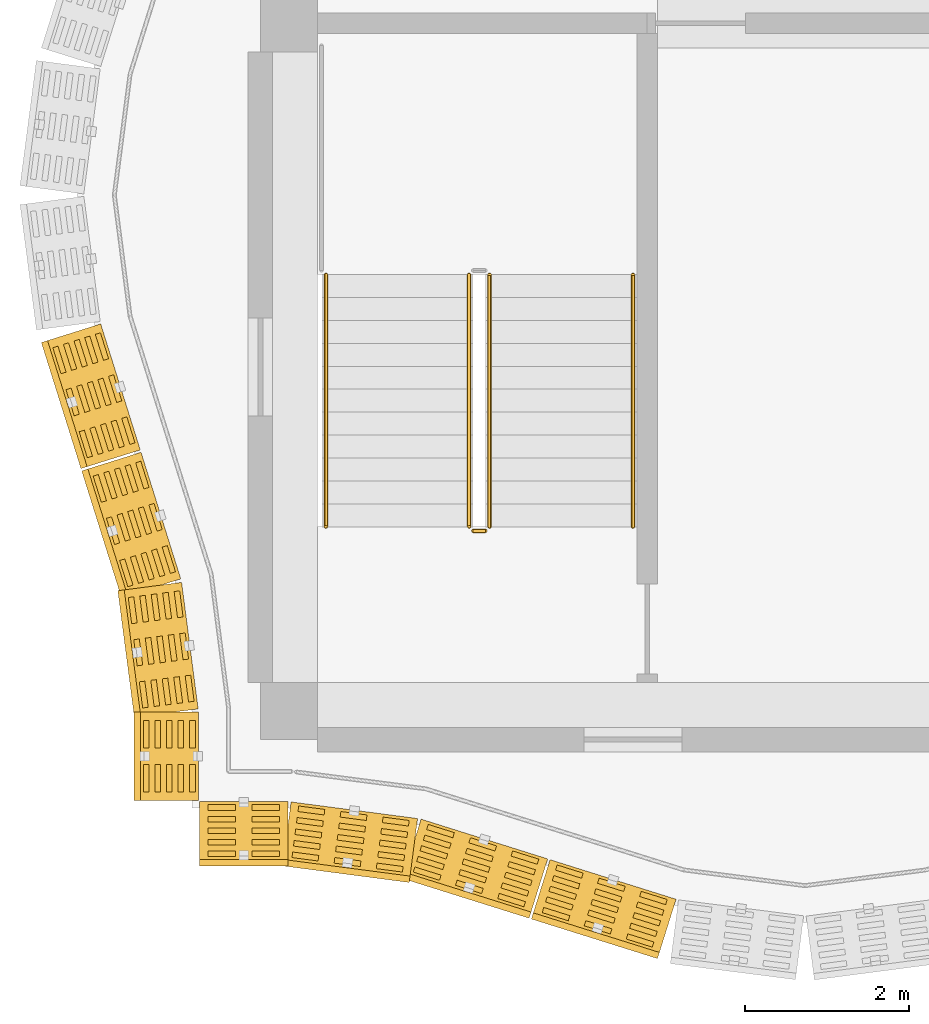
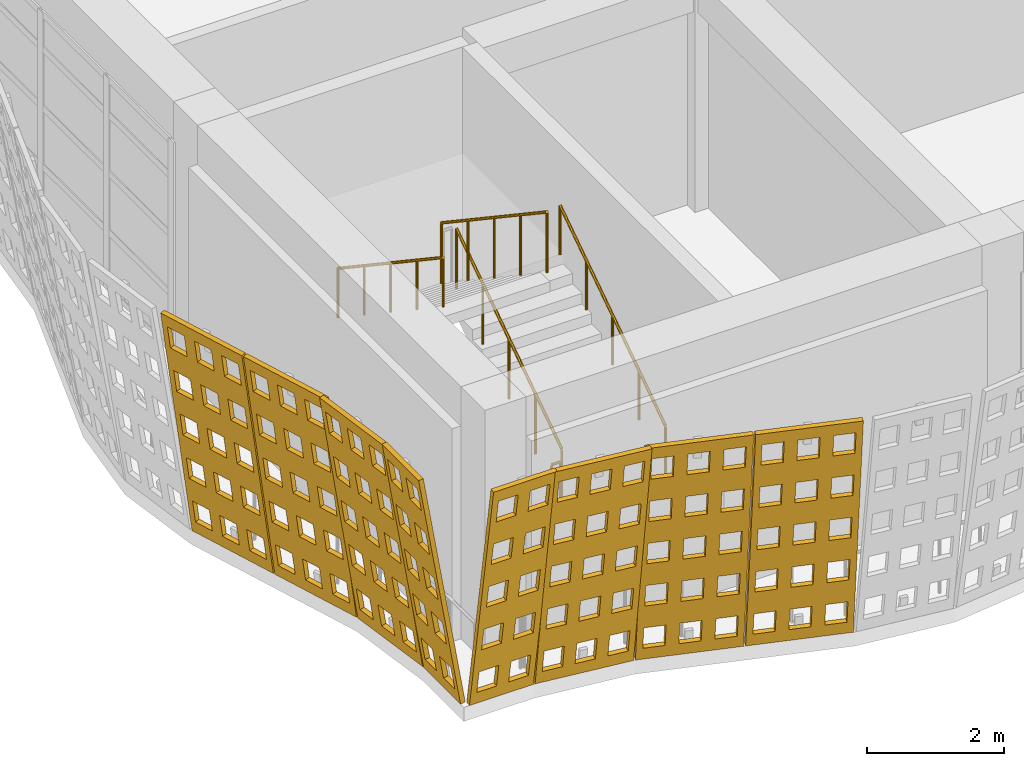
# One storey, part 148 of 163: 8 coverings, 5 railings.
"""IFC4 building model written with IfcOpenShell, lengths in metres."""

from ifc_helpers import new_model, si_unit, direction, frame, origin, origin_2d, place, context, subcontext, project, spatial, polyline, circle, outline, extrude, material, layer, layer_set, type_object, element, save


model = new_model("IFC4")

# Units and contexts
model_context = context("Model", 3, precision=1e-05, world=origin(), true_north=direction((0.0, 1.0)))
body_context = subcontext(model_context, "Body", "Model", "MODEL_VIEW")
ifc_project = project(units=[si_unit("LENGTHUNIT", "METRE"), si_unit("AREAUNIT", "SQUARE_METRE"), si_unit("VOLUMEUNIT", "CUBIC_METRE"), si_unit("PLANEANGLEUNIT", "RADIAN"), si_unit("MASSUNIT", "GRAM", prefix="KILO")], contexts=[model_context])

# Site, building, storey
site_placement = place(None, origin())
site = spatial("IfcSite", under=ifc_project, at=site_placement, CompositionType="ELEMENT")
building_placement = place(site_placement, origin())
building = spatial("IfcBuilding", under=site, at=building_placement, Name="Rain Tree Exposition and Congress Centre", CompositionType="ELEMENT")
storey_placement = place(building_placement, frame((0.0, 0.0, 10.5)))
storey = spatial("IfcBuildingStorey", under=building, at=storey_placement, Name="L02", CompositionType="ELEMENT", Elevation=10.5)

# Coverings
ifc_material_1 = material(Name="Perforated terracotta", Category="masonry")
ifc_layer = layer(ifc_material_1, 0.080078125)
ifc_layer_set = layer_set([ifc_layer], Name="Perforated terracotta")
covering_type = type_object("IfcCoveringType", Name="Terracotta screen 80", PredefinedType="CLADDING", material=ifc_layer_set)
covering_1_placement = place(storey_placement, frame((0.0, -1.1875, 0.0), z_axis=(0.128349774249, 0.9779030419, 0.165021138321), x_axis=(-0.991496427865, 0.130133906157, 0.0)))
element("IfcCovering", 1, at=covering_1_placement, inside=storey, type_object=covering_type, Name="wing/screen/L02/001", PredefinedType="CLADDING", context=body_context, shape_type="SweptSolid", body=[
    extrude(outline(polyline([(-1.5732421875, 0.0), (-1.5732421875, 4.295166015625), (-0.014892578125, 4.295166015625), (-0.014892578125, 0.0), (-1.5732421875, 0.0)]), holes=[polyline([(-0.11376953125, 0.2216796875), (-0.11376953125, 0.63720703125), (-0.435791015625, 0.63720703125), (-0.435791015625, 0.2216796875), (-0.11376953125, 0.2216796875)]), polyline([(-0.11376953125, 1.080810546875), (-0.11376953125, 1.496337890625), (-0.435791015625, 1.496337890625), (-0.435791015625, 1.080810546875), (-0.11376953125, 1.080810546875)]), polyline([(-0.11376953125, 1.939697265625), (-0.11376953125, 2.35546875), (-0.435791015625, 2.35546875), (-0.435791015625, 1.939697265625), (-0.11376953125, 1.939697265625)]), polyline([(-0.11376953125, 2.798583984375), (-0.11376953125, 3.21435546875), (-0.435791015625, 3.21435546875), (-0.435791015625, 2.798583984375), (-0.11376953125, 2.798583984375)]), polyline([(-0.11376953125, 3.65771484375), (-0.11376953125, 4.073486328125), (-0.435791015625, 4.073486328125), (-0.435791015625, 3.65771484375), (-0.11376953125, 3.65771484375)]), polyline([(-0.633056640625, 0.2216796875), (-0.633056640625, 0.63720703125), (-0.955078125, 0.63720703125), (-0.955078125, 0.2216796875), (-0.633056640625, 0.2216796875)]), polyline([(-0.633056640625, 1.080810546875), (-0.633056640625, 1.496337890625), (-0.955078125, 1.496337890625), (-0.955078125, 1.080810546875), (-0.633056640625, 1.080810546875)]), polyline([(-0.633056640625, 1.939697265625), (-0.633056640625, 2.35546875), (-0.955078125, 2.35546875), (-0.955078125, 1.939697265625), (-0.633056640625, 1.939697265625)]), polyline([(-0.633056640625, 2.798583984375), (-0.633056640625, 3.21435546875), (-0.955078125, 3.21435546875), (-0.955078125, 2.798583984375), (-0.633056640625, 2.798583984375)]), polyline([(-0.633056640625, 3.65771484375), (-0.633056640625, 4.073486328125), (-0.955078125, 4.073486328125), (-0.955078125, 3.65771484375), (-0.633056640625, 3.65771484375)]), polyline([(-1.152587890625, 0.2216796875), (-1.152587890625, 0.63720703125), (-1.474609375, 0.63720703125), (-1.474609375, 0.2216796875), (-1.152587890625, 0.2216796875)]), polyline([(-1.152587890625, 1.080810546875), (-1.152587890625, 1.496337890625), (-1.474609375, 1.496337890625), (-1.474609375, 1.080810546875), (-1.152587890625, 1.080810546875)]), polyline([(-1.152587890625, 1.939697265625), (-1.152587890625, 2.35546875), (-1.474609375, 2.35546875), (-1.474609375, 1.939697265625), (-1.152587890625, 1.939697265625)]), polyline([(-1.152587890625, 2.798583984375), (-1.152587890625, 3.21435546875), (-1.474609375, 3.21435546875), (-1.474609375, 2.798583984375), (-1.152587890625, 2.798583984375)]), polyline([(-1.152587890625, 3.65771484375), (-1.152587890625, 4.073486328125), (-1.474609375, 4.073486328125), (-1.474609375, 3.65771484375), (-1.152587890625, 3.65771484375)])]), origin(), (0.0, 0.0, 1.0), 0.079833984375),
])
covering_2_placement = place(storey_placement, frame((1.574951171875, -1.392578125, 0.0), z_axis=(0.295717964052, 0.942029390639, 0.158529217842), x_axis=(-0.954094597562, 0.29950542383, 0.0)))
element("IfcCovering", 2, at=covering_2_placement, inside=storey, type_object=covering_type, Name="wing/screen/L02/002", PredefinedType="CLADDING", context=body_context, shape_type="SweptSolid", body=[
    extrude(outline(polyline([(-1.635986328125, 0.0), (-1.635986328125, 4.291259765625), (-0.014892578125, 4.291259765625), (-0.014892578125, 0.0), (-1.635986328125, 0.0)]), holes=[polyline([(-0.11767578125, 0.221435546875), (-0.11767578125, 0.63671875), (-0.45263671875, 0.63671875), (-0.45263671875, 0.221435546875), (-0.11767578125, 0.221435546875)]), polyline([(-0.11767578125, 1.07958984375), (-0.11767578125, 1.4951171875), (-0.45263671875, 1.4951171875), (-0.45263671875, 1.07958984375), (-0.11767578125, 1.07958984375)]), polyline([(-0.11767578125, 1.93798828125), (-0.11767578125, 2.353271484375), (-0.45263671875, 2.353271484375), (-0.45263671875, 1.93798828125), (-0.11767578125, 1.93798828125)]), polyline([(-0.11767578125, 2.796142578125), (-0.11767578125, 3.21142578125), (-0.45263671875, 3.21142578125), (-0.45263671875, 2.796142578125), (-0.11767578125, 2.796142578125)]), polyline([(-0.11767578125, 3.654541015625), (-0.11767578125, 4.06982421875), (-0.45263671875, 4.06982421875), (-0.45263671875, 3.654541015625), (-0.11767578125, 3.654541015625)]), polyline([(-0.657958984375, 0.221435546875), (-0.657958984375, 0.63671875), (-0.992919921875, 0.63671875), (-0.992919921875, 0.221435546875), (-0.657958984375, 0.221435546875)]), polyline([(-0.657958984375, 1.07958984375), (-0.657958984375, 1.4951171875), (-0.992919921875, 1.4951171875), (-0.992919921875, 1.07958984375), (-0.657958984375, 1.07958984375)]), polyline([(-0.657958984375, 1.93798828125), (-0.657958984375, 2.353271484375), (-0.992919921875, 2.353271484375), (-0.992919921875, 1.93798828125), (-0.657958984375, 1.93798828125)]), polyline([(-0.657958984375, 2.796142578125), (-0.657958984375, 3.21142578125), (-0.992919921875, 3.21142578125), (-0.992919921875, 2.796142578125), (-0.657958984375, 2.796142578125)]), polyline([(-0.657958984375, 3.654541015625), (-0.657958984375, 4.06982421875), (-0.992919921875, 4.06982421875), (-0.992919921875, 3.654541015625), (-0.657958984375, 3.654541015625)]), polyline([(-1.1982421875, 0.221435546875), (-1.1982421875, 0.63671875), (-1.533203125, 0.63671875), (-1.533203125, 0.221435546875), (-1.1982421875, 0.221435546875)]), polyline([(-1.1982421875, 1.07958984375), (-1.1982421875, 1.4951171875), (-1.533203125, 1.4951171875), (-1.533203125, 1.07958984375), (-1.1982421875, 1.07958984375)]), polyline([(-1.1982421875, 1.93798828125), (-1.1982421875, 2.353271484375), (-1.533203125, 2.353271484375), (-1.533203125, 1.93798828125), (-1.1982421875, 1.93798828125)]), polyline([(-1.1982421875, 2.796142578125), (-1.1982421875, 3.21142578125), (-1.533203125, 3.21142578125), (-1.533203125, 2.796142578125), (-1.1982421875, 2.796142578125)]), polyline([(-1.1982421875, 3.654541015625), (-1.1982421875, 4.06982421875), (-1.533203125, 4.06982421875), (-1.533203125, 3.654541015625), (-1.1982421875, 3.654541015625)])]), origin(), (0.0, 0.0, 1.0), 0.080078125),
])
covering_3_placement = place(storey_placement, frame((3.14990234375, -1.8876953125, 0.0), z_axis=(0.295717964052, 0.942029390639, 0.158529217842), x_axis=(-0.954094597562, 0.29950542383, 0.0)))
element("IfcCovering", 3, at=covering_3_placement, inside=storey, type_object=covering_type, Name="wing/screen/L02/003", PredefinedType="CLADDING", context=body_context, shape_type="SweptSolid", body=[
    extrude(outline(polyline([(-1.62890625, 0.0), (-1.62890625, 4.291259765625), (-0.014892578125, 4.291259765625), (-0.014892578125, 0.0), (-1.62890625, 0.0)]), holes=[polyline([(-0.1171875, 0.221435546875), (-0.1171875, 0.63671875), (-0.45068359375, 0.63671875), (-0.45068359375, 0.221435546875), (-0.1171875, 0.221435546875)]), polyline([(-0.1171875, 1.07958984375), (-0.1171875, 1.4951171875), (-0.45068359375, 1.4951171875), (-0.45068359375, 1.07958984375), (-0.1171875, 1.07958984375)]), polyline([(-0.1171875, 1.93798828125), (-0.1171875, 2.353271484375), (-0.45068359375, 2.353271484375), (-0.45068359375, 1.93798828125), (-0.1171875, 1.93798828125)]), polyline([(-0.1171875, 2.796142578125), (-0.1171875, 3.21142578125), (-0.45068359375, 3.21142578125), (-0.45068359375, 2.796142578125), (-0.1171875, 2.796142578125)]), polyline([(-0.1171875, 3.654541015625), (-0.1171875, 4.06982421875), (-0.45068359375, 4.06982421875), (-0.45068359375, 3.654541015625), (-0.1171875, 3.654541015625)]), polyline([(-0.6552734375, 0.221435546875), (-0.6552734375, 0.63671875), (-0.98876953125, 0.63671875), (-0.98876953125, 0.221435546875), (-0.6552734375, 0.221435546875)]), polyline([(-0.6552734375, 1.07958984375), (-0.6552734375, 1.4951171875), (-0.98876953125, 1.4951171875), (-0.98876953125, 1.07958984375), (-0.6552734375, 1.07958984375)]), polyline([(-0.6552734375, 1.93798828125), (-0.6552734375, 2.353271484375), (-0.98876953125, 2.353271484375), (-0.98876953125, 1.93798828125), (-0.6552734375, 1.93798828125)]), polyline([(-0.6552734375, 2.796142578125), (-0.6552734375, 3.21142578125), (-0.98876953125, 3.21142578125), (-0.98876953125, 2.796142578125), (-0.6552734375, 2.796142578125)]), polyline([(-0.6552734375, 3.654541015625), (-0.6552734375, 4.06982421875), (-0.98876953125, 4.06982421875), (-0.98876953125, 3.654541015625), (-0.6552734375, 3.654541015625)]), polyline([(-1.193115234375, 0.221435546875), (-1.193115234375, 0.63671875), (-1.526611328125, 0.63671875), (-1.526611328125, 0.221435546875), (-1.193115234375, 0.221435546875)]), polyline([(-1.193115234375, 1.07958984375), (-1.193115234375, 1.4951171875), (-1.526611328125, 1.4951171875), (-1.526611328125, 1.07958984375), (-1.193115234375, 1.07958984375)]), polyline([(-1.193115234375, 1.93798828125), (-1.193115234375, 2.353271484375), (-1.526611328125, 2.353271484375), (-1.526611328125, 1.93798828125), (-1.193115234375, 1.93798828125)]), polyline([(-1.193115234375, 2.796142578125), (-1.193115234375, 3.21142578125), (-1.526611328125, 3.21142578125), (-1.526611328125, 2.796142578125), (-1.193115234375, 2.796142578125)]), polyline([(-1.193115234375, 3.654541015625), (-1.193115234375, 4.06982421875), (-1.526611328125, 4.06982421875), (-1.526611328125, 3.654541015625), (-1.193115234375, 3.654541015625)])]), origin(), (0.0, 0.0, 1.0), 0.080078125),
])
covering_4_placement = place(storey_placement, frame((-2.382568359375, 4.72509765625, 0.0), z_axis=(0.942029390639, 0.295717964052, 0.158529217842), x_axis=(-0.29950542383, 0.954094597562, 0.0)))
element("IfcCovering", 4, at=covering_4_placement, inside=storey, type_object=covering_type, Name="wing/screen/L02/132", PredefinedType="CLADDING", context=body_context, shape_type="SweptSolid", body=[
    extrude(outline(polyline([(-1.635986328125, 0.0), (-1.635986328125, 4.291259765625), (-0.02197265625, 4.291259765625), (-0.02197265625, 0.0), (-1.635986328125, 0.0)]), holes=[polyline([(-0.124267578125, 0.221435546875), (-0.124267578125, 0.63671875), (-0.457763671875, 0.63671875), (-0.457763671875, 0.221435546875), (-0.124267578125, 0.221435546875)]), polyline([(-0.124267578125, 1.07958984375), (-0.124267578125, 1.4951171875), (-0.457763671875, 1.4951171875), (-0.457763671875, 1.07958984375), (-0.124267578125, 1.07958984375)]), polyline([(-0.124267578125, 1.93798828125), (-0.124267578125, 2.353271484375), (-0.457763671875, 2.353271484375), (-0.457763671875, 1.93798828125), (-0.124267578125, 1.93798828125)]), polyline([(-0.124267578125, 2.796142578125), (-0.124267578125, 3.21142578125), (-0.457763671875, 3.21142578125), (-0.457763671875, 2.796142578125), (-0.124267578125, 2.796142578125)]), polyline([(-0.124267578125, 3.654541015625), (-0.124267578125, 4.06982421875), (-0.457763671875, 4.06982421875), (-0.457763671875, 3.654541015625), (-0.124267578125, 3.654541015625)]), polyline([(-0.662109375, 0.221435546875), (-0.662109375, 0.63671875), (-0.995849609375, 0.63671875), (-0.995849609375, 0.221435546875), (-0.662109375, 0.221435546875)]), polyline([(-0.662109375, 1.07958984375), (-0.662109375, 1.4951171875), (-0.995849609375, 1.4951171875), (-0.995849609375, 1.07958984375), (-0.662109375, 1.07958984375)]), polyline([(-0.662109375, 1.93798828125), (-0.662109375, 2.353271484375), (-0.995849609375, 2.353271484375), (-0.995849609375, 1.93798828125), (-0.662109375, 1.93798828125)]), polyline([(-0.662109375, 2.796142578125), (-0.662109375, 3.21142578125), (-0.995849609375, 3.21142578125), (-0.995849609375, 2.796142578125), (-0.662109375, 2.796142578125)]), polyline([(-0.662109375, 3.654541015625), (-0.662109375, 4.06982421875), (-0.995849609375, 4.06982421875), (-0.995849609375, 3.654541015625), (-0.662109375, 3.654541015625)]), polyline([(-1.2001953125, 0.221435546875), (-1.2001953125, 0.63671875), (-1.53369140625, 0.63671875), (-1.53369140625, 0.221435546875), (-1.2001953125, 0.221435546875)]), polyline([(-1.2001953125, 1.07958984375), (-1.2001953125, 1.4951171875), (-1.53369140625, 1.4951171875), (-1.53369140625, 1.07958984375), (-1.2001953125, 1.07958984375)]), polyline([(-1.2001953125, 1.93798828125), (-1.2001953125, 2.353271484375), (-1.53369140625, 2.353271484375), (-1.53369140625, 1.93798828125), (-1.2001953125, 1.93798828125)]), polyline([(-1.2001953125, 2.796142578125), (-1.2001953125, 3.21142578125), (-1.53369140625, 3.21142578125), (-1.53369140625, 2.796142578125), (-1.2001953125, 2.796142578125)]), polyline([(-1.2001953125, 3.654541015625), (-1.2001953125, 4.06982421875), (-1.53369140625, 4.06982421875), (-1.53369140625, 3.654541015625), (-1.2001953125, 3.654541015625)])]), origin(), (0.0, 0.0, 1.0), 0.080078125),
])
covering_5_placement = place(storey_placement, frame((-1.8876953125, 3.14990234375, 0.0), z_axis=(0.942029390639, 0.295717964052, 0.158529217842), x_axis=(-0.29950542383, 0.954094597562, 0.0)))
element("IfcCovering", 5, at=covering_5_placement, inside=storey, type_object=covering_type, Name="wing/screen/L02/133", PredefinedType="CLADDING", context=body_context, shape_type="SweptSolid", body=[
    extrude(outline(polyline([(-1.635986328125, 0.0), (-1.635986328125, 4.291259765625), (-0.014892578125, 4.291259765625), (-0.014892578125, 0.0), (-1.635986328125, 0.0)]), holes=[polyline([(-0.11767578125, 0.221435546875), (-0.11767578125, 0.63671875), (-0.45263671875, 0.63671875), (-0.45263671875, 0.221435546875), (-0.11767578125, 0.221435546875)]), polyline([(-0.11767578125, 1.07958984375), (-0.11767578125, 1.4951171875), (-0.45263671875, 1.4951171875), (-0.45263671875, 1.07958984375), (-0.11767578125, 1.07958984375)]), polyline([(-0.11767578125, 1.93798828125), (-0.11767578125, 2.353271484375), (-0.45263671875, 2.353271484375), (-0.45263671875, 1.93798828125), (-0.11767578125, 1.93798828125)]), polyline([(-0.11767578125, 2.796142578125), (-0.11767578125, 3.21142578125), (-0.45263671875, 3.21142578125), (-0.45263671875, 2.796142578125), (-0.11767578125, 2.796142578125)]), polyline([(-0.11767578125, 3.654541015625), (-0.11767578125, 4.06982421875), (-0.45263671875, 4.06982421875), (-0.45263671875, 3.654541015625), (-0.11767578125, 3.654541015625)]), polyline([(-0.657958984375, 0.221435546875), (-0.657958984375, 0.63671875), (-0.992919921875, 0.63671875), (-0.992919921875, 0.221435546875), (-0.657958984375, 0.221435546875)]), polyline([(-0.657958984375, 1.07958984375), (-0.657958984375, 1.4951171875), (-0.992919921875, 1.4951171875), (-0.992919921875, 1.07958984375), (-0.657958984375, 1.07958984375)]), polyline([(-0.657958984375, 1.93798828125), (-0.657958984375, 2.353271484375), (-0.992919921875, 2.353271484375), (-0.992919921875, 1.93798828125), (-0.657958984375, 1.93798828125)]), polyline([(-0.657958984375, 2.796142578125), (-0.657958984375, 3.21142578125), (-0.992919921875, 3.21142578125), (-0.992919921875, 2.796142578125), (-0.657958984375, 2.796142578125)]), polyline([(-0.657958984375, 3.654541015625), (-0.657958984375, 4.06982421875), (-0.992919921875, 4.06982421875), (-0.992919921875, 3.654541015625), (-0.657958984375, 3.654541015625)]), polyline([(-1.1982421875, 0.221435546875), (-1.1982421875, 0.63671875), (-1.533203125, 0.63671875), (-1.533203125, 0.221435546875), (-1.1982421875, 0.221435546875)]), polyline([(-1.1982421875, 1.07958984375), (-1.1982421875, 1.4951171875), (-1.533203125, 1.4951171875), (-1.533203125, 1.07958984375), (-1.1982421875, 1.07958984375)]), polyline([(-1.1982421875, 1.93798828125), (-1.1982421875, 2.353271484375), (-1.533203125, 2.353271484375), (-1.533203125, 1.93798828125), (-1.1982421875, 1.93798828125)]), polyline([(-1.1982421875, 2.796142578125), (-1.1982421875, 3.21142578125), (-1.533203125, 3.21142578125), (-1.533203125, 2.796142578125), (-1.1982421875, 2.796142578125)]), polyline([(-1.1982421875, 3.654541015625), (-1.1982421875, 4.06982421875), (-1.533203125, 4.06982421875), (-1.533203125, 3.654541015625), (-1.1982421875, 3.654541015625)])]), origin(), (0.0, 0.0, 1.0), 0.080078125),
])
covering_6_placement = place(storey_placement, frame((-1.392578125, 1.574951171875, 0.0), z_axis=(0.978036007662, 0.127967328105, 0.16452942185), x_axis=(-0.129735338481, 0.991548658387, 0.0)))
element("IfcCovering", 6, at=covering_6_placement, inside=storey, type_object=covering_type, Name="wing/screen/L02/134", PredefinedType="CLADDING", context=body_context, shape_type="SweptSolid", body=[
    extrude(outline(polyline([(-1.5732421875, 0.0), (-1.5732421875, 4.295166015625), (-0.014892578125, 4.295166015625), (-0.014892578125, 0.0), (-1.5732421875, 0.0)]), holes=[polyline([(-0.11376953125, 0.2216796875), (-0.11376953125, 0.63720703125), (-0.435791015625, 0.63720703125), (-0.435791015625, 0.2216796875), (-0.11376953125, 0.2216796875)]), polyline([(-0.11376953125, 1.080810546875), (-0.11376953125, 1.496337890625), (-0.435791015625, 1.496337890625), (-0.435791015625, 1.080810546875), (-0.11376953125, 1.080810546875)]), polyline([(-0.11376953125, 1.939697265625), (-0.11376953125, 2.35546875), (-0.435791015625, 2.35546875), (-0.435791015625, 1.939697265625), (-0.11376953125, 1.939697265625)]), polyline([(-0.11376953125, 2.798583984375), (-0.11376953125, 3.21435546875), (-0.435791015625, 3.21435546875), (-0.435791015625, 2.798583984375), (-0.11376953125, 2.798583984375)]), polyline([(-0.11376953125, 3.65771484375), (-0.11376953125, 4.073486328125), (-0.435791015625, 4.073486328125), (-0.435791015625, 3.65771484375), (-0.11376953125, 3.65771484375)]), polyline([(-0.633056640625, 0.2216796875), (-0.633056640625, 0.63720703125), (-0.955078125, 0.63720703125), (-0.955078125, 0.2216796875), (-0.633056640625, 0.2216796875)]), polyline([(-0.633056640625, 1.080810546875), (-0.633056640625, 1.496337890625), (-0.955078125, 1.496337890625), (-0.955078125, 1.080810546875), (-0.633056640625, 1.080810546875)]), polyline([(-0.633056640625, 1.939697265625), (-0.633056640625, 2.35546875), (-0.955078125, 2.35546875), (-0.955078125, 1.939697265625), (-0.633056640625, 1.939697265625)]), polyline([(-0.633056640625, 2.798583984375), (-0.633056640625, 3.21435546875), (-0.955078125, 3.21435546875), (-0.955078125, 2.798583984375), (-0.633056640625, 2.798583984375)]), polyline([(-0.633056640625, 3.65771484375), (-0.633056640625, 4.073486328125), (-0.955078125, 4.073486328125), (-0.955078125, 3.65771484375), (-0.633056640625, 3.65771484375)]), polyline([(-1.152587890625, 0.2216796875), (-1.152587890625, 0.63720703125), (-1.474609375, 0.63720703125), (-1.474609375, 0.2216796875), (-1.152587890625, 0.2216796875)]), polyline([(-1.152587890625, 1.080810546875), (-1.152587890625, 1.496337890625), (-1.474609375, 1.496337890625), (-1.474609375, 1.080810546875), (-1.152587890625, 1.080810546875)]), polyline([(-1.152587890625, 1.939697265625), (-1.152587890625, 2.35546875), (-1.474609375, 2.35546875), (-1.474609375, 1.939697265625), (-1.152587890625, 1.939697265625)]), polyline([(-1.152587890625, 2.798583984375), (-1.152587890625, 3.21435546875), (-1.474609375, 3.21435546875), (-1.474609375, 2.798583984375), (-1.152587890625, 2.798583984375)]), polyline([(-1.152587890625, 3.65771484375), (-1.152587890625, 4.073486328125), (-1.474609375, 4.073486328125), (-1.474609375, 3.65771484375), (-1.152587890625, 3.65771484375)])]), origin(), (0.0, 0.0, 1.0), 0.080078125),
])
covering_7_placement = place(storey_placement, frame((-1.1875, 0.0, 0.0), z_axis=(0.986311269939, 0.0, 0.1648941442), x_axis=(0.0, 1.0, 0.0)))
element("IfcCovering", 7, at=covering_7_placement, inside=storey, type_object=covering_type, Name="wing/screen/L02/135", PredefinedType="CLADDING", context=body_context, shape_type="SweptSolid", body=[
    extrude(outline(polyline([(-1.092529296875, 0.0), (-1.092529296875, 4.2958984375), (-0.014892578125, 4.2958984375), (-0.014892578125, 0.0), (-1.092529296875, 0.0)]), holes=[polyline([(-0.117431640625, 0.2216796875), (-0.117431640625, 0.637451171875), (-0.451416015625, 0.637451171875), (-0.451416015625, 0.2216796875), (-0.117431640625, 0.2216796875)]), polyline([(-0.117431640625, 1.080810546875), (-0.117431640625, 1.49658203125), (-0.451416015625, 1.49658203125), (-0.451416015625, 1.080810546875), (-0.117431640625, 1.080810546875)]), polyline([(-0.117431640625, 1.940185546875), (-0.117431640625, 2.355712890625), (-0.451416015625, 2.355712890625), (-0.451416015625, 1.940185546875), (-0.117431640625, 1.940185546875)]), polyline([(-0.117431640625, 2.79931640625), (-0.117431640625, 3.215087890625), (-0.451416015625, 3.215087890625), (-0.451416015625, 2.79931640625), (-0.117431640625, 2.79931640625)]), polyline([(-0.117431640625, 3.658447265625), (-0.117431640625, 4.07421875), (-0.451416015625, 4.07421875), (-0.451416015625, 3.658447265625), (-0.117431640625, 3.658447265625)]), polyline([(-0.65625, 0.2216796875), (-0.65625, 0.637451171875), (-0.990234375, 0.637451171875), (-0.990234375, 0.2216796875), (-0.65625, 0.2216796875)]), polyline([(-0.65625, 1.080810546875), (-0.65625, 1.49658203125), (-0.990234375, 1.49658203125), (-0.990234375, 1.080810546875), (-0.65625, 1.080810546875)]), polyline([(-0.65625, 1.940185546875), (-0.65625, 2.355712890625), (-0.990234375, 2.355712890625), (-0.990234375, 1.940185546875), (-0.65625, 1.940185546875)]), polyline([(-0.65625, 2.79931640625), (-0.65625, 3.215087890625), (-0.990234375, 3.215087890625), (-0.990234375, 2.79931640625), (-0.65625, 2.79931640625)]), polyline([(-0.65625, 3.658447265625), (-0.65625, 4.07421875), (-0.990234375, 4.07421875), (-0.990234375, 3.658447265625), (-0.65625, 3.658447265625)])]), origin(), (0.0, 0.0, 1.0), 0.079833984375),
])
covering_8_placement = place(storey_placement, frame((-1.1875, -1.1875, 0.0), z_axis=(0.0, 0.986311269939, 0.1648941442), x_axis=(-1.0, 0.0, 0.0)))
element("IfcCovering", 8, at=covering_8_placement, inside=storey, type_object=covering_type, Name="wing/screen/L02/136", PredefinedType="CLADDING", context=body_context, shape_type="SweptSolid", body=[
    extrude(outline(polyline([(-1.172607421875, 0.0), (-1.172607421875, 4.2958984375), (-0.094970703125, 4.2958984375), (-0.094970703125, 0.0), (-1.172607421875, 0.0)]), holes=[polyline([(-0.197509765625, 0.2216796875), (-0.197509765625, 0.637451171875), (-0.531494140625, 0.637451171875), (-0.531494140625, 0.2216796875), (-0.197509765625, 0.2216796875)]), polyline([(-0.197509765625, 1.080810546875), (-0.197509765625, 1.49658203125), (-0.531494140625, 1.49658203125), (-0.531494140625, 1.080810546875), (-0.197509765625, 1.080810546875)]), polyline([(-0.197509765625, 1.940185546875), (-0.197509765625, 2.355712890625), (-0.531494140625, 2.355712890625), (-0.531494140625, 1.940185546875), (-0.197509765625, 1.940185546875)]), polyline([(-0.197509765625, 2.79931640625), (-0.197509765625, 3.215087890625), (-0.531494140625, 3.215087890625), (-0.531494140625, 2.79931640625), (-0.197509765625, 2.79931640625)]), polyline([(-0.197509765625, 3.658447265625), (-0.197509765625, 4.07421875), (-0.531494140625, 4.07421875), (-0.531494140625, 3.658447265625), (-0.197509765625, 3.658447265625)]), polyline([(-0.736083984375, 0.2216796875), (-0.736083984375, 0.637451171875), (-1.0703125, 0.637451171875), (-1.0703125, 0.2216796875), (-0.736083984375, 0.2216796875)]), polyline([(-0.736083984375, 1.080810546875), (-0.736083984375, 1.49658203125), (-1.0703125, 1.49658203125), (-1.0703125, 1.080810546875), (-0.736083984375, 1.080810546875)]), polyline([(-0.736083984375, 1.940185546875), (-0.736083984375, 2.355712890625), (-1.0703125, 2.355712890625), (-1.0703125, 1.940185546875), (-0.736083984375, 1.940185546875)]), polyline([(-0.736083984375, 2.79931640625), (-0.736083984375, 3.215087890625), (-1.0703125, 3.215087890625), (-1.0703125, 2.79931640625), (-0.736083984375, 2.79931640625)]), polyline([(-0.736083984375, 3.658447265625), (-0.736083984375, 4.07421875), (-1.0703125, 4.07421875), (-1.0703125, 3.658447265625), (-0.736083984375, 3.658447265625)])]), origin(), (0.0, 0.0, 1.0), 0.079833984375),
])

# Railings
ifc_material_2 = material(Name="Steel S355J2H", Category="steel")
railing_type_1 = type_object("IfcRailingType", Name="Wing stair guard 1100", PredefinedType="GUARDRAIL", material=ifc_material_2)
railing_1_placement = place(storey_placement, frame((2.449951171875, 2.25, 0.1875)))
element("IfcRailing", 9, at=railing_1_placement, inside=storey, type_object=railing_type_1, Name="L02 ST-W1 stair guard 1", PredefinedType="GUARDRAIL", context=body_context, shape_type="SweptSolid", body=[
    extrude(circle(Radius=0.02392578125, at=origin_2d()), frame((0.0, 0.0, 1.076171875), z_axis=(0.0, 0.830913701846, 0.55640131208), x_axis=(-1.0, 0.0, 0.0)), (0.0, 0.0, 1.0), 3.706787109375),
    extrude(circle(Radius=0.02099609375, at=origin_2d()), origin(), (0.0, 0.0, 1.0), 1.052001953125),
    extrude(circle(Radius=0.02099609375, at=origin_2d()), frame((0.0, 0.77001953125, 0.515625)), (0.0, 0.0, 1.0), 1.052001953125),
    extrude(circle(Radius=0.02099609375, at=origin_2d()), frame((0.0, 1.5400390625, 1.03125)), (0.0, 0.0, 1.0), 1.052001953125),
    extrude(circle(Radius=0.02099609375, at=origin_2d()), frame((0.0, 2.31005859375, 1.546875)), (0.0, 0.0, 1.0), 1.052001953125),
    extrude(circle(Radius=0.02099609375, at=origin_2d()), frame((0.0, 3.080078125, 2.0625)), (0.0, 0.0, 1.0), 1.052001953125),
])
railing_2_placement = place(storey_placement, frame((2.199951171875, 5.330078125, 2.4375)))
element("IfcRailing", 10, at=railing_2_placement, inside=storey, type_object=railing_type_1, Name="L02 ST-W1 stair guard 3", PredefinedType="GUARDRAIL", context=body_context, shape_type="SweptSolid", body=[
    extrude(circle(Radius=0.02392578125, at=origin_2d()), frame((0.0, 0.0, 1.076171875), z_axis=(0.0, -0.830913701846, 0.55640131208), x_axis=(1.0, 0.0, 0.0)), (0.0, 0.0, 1.0), 3.706787109375),
    extrude(circle(Radius=0.02099609375, at=origin_2d()), origin(), (0.0, 0.0, 1.0), 1.052001953125),
    extrude(circle(Radius=0.02099609375, at=origin_2d()), frame((0.0, -0.77001953125, 0.515625)), (0.0, 0.0, 1.0), 1.052001953125),
    extrude(circle(Radius=0.02099609375, at=origin_2d()), frame((0.0, -1.5400390625, 1.03125)), (0.0, 0.0, 1.0), 1.052001953125),
    extrude(circle(Radius=0.02099609375, at=origin_2d()), frame((0.0, -2.31005859375, 1.546875)), (0.0, 0.0, 1.0), 1.052001953125),
    extrude(circle(Radius=0.02099609375, at=origin_2d()), frame((0.0, -3.080078125, 2.0625)), (0.0, 0.0, 1.0), 1.052001953125),
])
railing_3_placement = place(storey_placement, frame((2.39990234375, 2.199951171875, 0.0)))
element("IfcRailing", 11, at=railing_3_placement, inside=storey, type_object=railing_type_1, Name="L02 ST-W1 stair guard 4", PredefinedType="GUARDRAIL", context=body_context, shape_type="SweptSolid", body=[
    extrude(circle(Radius=0.02392578125, at=origin_2d()), frame((0.0, 0.0, 1.076171875), z_axis=(-1.0, 0.0, 0.0), x_axis=(0.0, -1.0, 0.0)), (0.0, 0.0, 1.0), 0.14990234375),
    extrude(circle(Radius=0.02099609375, at=origin_2d()), origin(), (0.0, 0.0, 1.0), 1.052001953125),
    extrude(circle(Radius=0.02099609375, at=origin_2d()), frame((-0.14990234375, 0.0, 0.0)), (0.0, 0.0, 1.0), 1.052001953125),
])
ifc_material_3 = material(Name="Steel S355J2H", Category="steel")
railing_type_2 = type_object("IfcRailingType", Name="Wing stair handrail 900", PredefinedType="HANDRAIL", material=ifc_material_3)
railing_4_placement = place(storey_placement, frame((4.199951171875, 2.25, 0.1875)))
element("IfcRailing", 12, at=railing_4_placement, inside=storey, type_object=railing_type_2, Name="L02 ST-W1 stair handrail 1", PredefinedType="HANDRAIL", context=body_context, shape_type="SweptSolid", body=[
    extrude(circle(Radius=0.02392578125, at=origin_2d()), frame((0.0, 0.0, 0.8759765625), z_axis=(0.0, 0.830913701846, 0.55640131208), x_axis=(-1.0, 0.0, 0.0)), (0.0, 0.0, 1.0), 3.706787109375),
    extrude(circle(Radius=0.02099609375, at=origin_2d()), origin(), (0.0, 0.0, 1.0), 0.851806640625),
    extrude(circle(Radius=0.02099609375, at=origin_2d()), frame((0.0, 0.77001953125, 0.515625)), (0.0, 0.0, 1.0), 0.851806640625),
    extrude(circle(Radius=0.02099609375, at=origin_2d()), frame((0.0, 1.5400390625, 1.03125)), (0.0, 0.0, 1.0), 0.851806640625),
    extrude(circle(Radius=0.02099609375, at=origin_2d()), frame((0.0, 2.31005859375, 1.546875)), (0.0, 0.0, 1.0), 0.851806640625),
    extrude(circle(Radius=0.02099609375, at=origin_2d()), frame((0.0, 3.080078125, 2.0625)), (0.0, 0.0, 1.0), 0.851806640625),
])
railing_5_placement = place(storey_placement, frame((0.449951171875, 5.330078125, 2.4375)))
element("IfcRailing", 13, at=railing_5_placement, inside=storey, type_object=railing_type_2, Name="L02 ST-W1 stair handrail 2", PredefinedType="HANDRAIL", context=body_context, shape_type="SweptSolid", body=[
    extrude(circle(Radius=0.02392578125, at=origin_2d()), frame((0.0, 0.0, 0.8759765625), z_axis=(0.0, -0.830913701846, 0.55640131208), x_axis=(1.0, 0.0, 0.0)), (0.0, 0.0, 1.0), 3.706787109375),
    extrude(circle(Radius=0.02099609375, at=origin_2d()), origin(), (0.0, 0.0, 1.0), 0.851806640625),
    extrude(circle(Radius=0.02099609375, at=origin_2d()), frame((0.0, -0.77001953125, 0.515625)), (0.0, 0.0, 1.0), 0.851806640625),
    extrude(circle(Radius=0.02099609375, at=origin_2d()), frame((0.0, -1.5400390625, 1.03125)), (0.0, 0.0, 1.0), 0.851806640625),
    extrude(circle(Radius=0.02099609375, at=origin_2d()), frame((0.0, -2.31005859375, 1.546875)), (0.0, 0.0, 1.0), 0.851806640625),
    extrude(circle(Radius=0.02099609375, at=origin_2d()), frame((0.0, -3.080078125, 2.0625)), (0.0, 0.0, 1.0), 0.851806640625),
])

save(model, "model.ifc")
